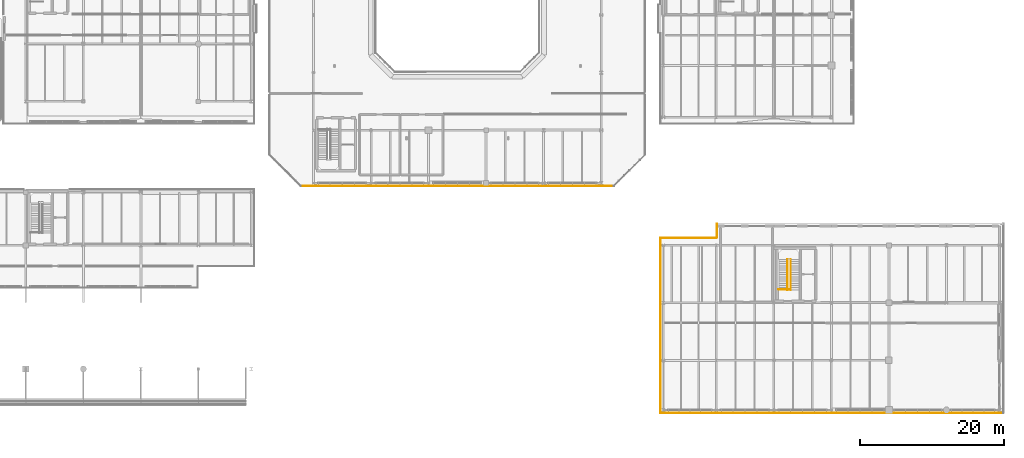
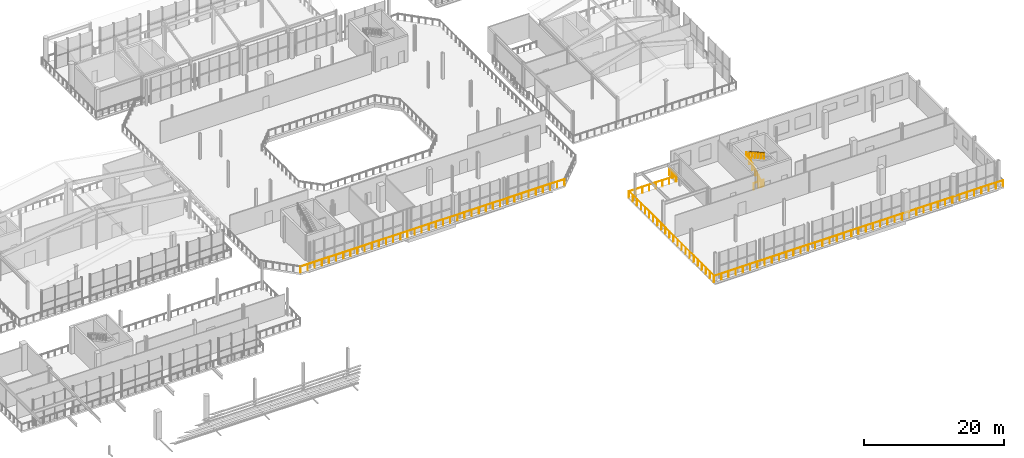
# One storey, part 62 of 70: 11 railings.
"""IFC4 building model written with IfcOpenShell, lengths in metres."""

import ifcopenshell
import ifcopenshell.guid

model = None  # the IFC model being written
_history = None  # IfcOwnerHistory: only IFC2X3 demands one
_inside = {}  # id of a spatial element -> (the spatial element, [elements in it])
_under = {}  # id of a project, library or spatial element -> (it, [spatial elements below it])
_declared = {}  # id of a project -> (the project, [libraries it declares])
_typed = {}  # id of a type object -> (the type object, [elements of that type])
_made_of = {}  # id of a material, layer set ... -> (it, [elements and type objects made of it])


def new_model(schema):
    """Start an empty IFC model of exactly this schema.

    Asked for "IFC4X3", IfcOpenShell would pick the latest addendum, in which some entities
    have other attributes; the version numbers below select the first issue.
    IFC2X3 requires an IfcOwnerHistory on every rooted entity: one is made here for all.
    """
    global model, _history
    if schema == "IFC4X3":
        model = ifcopenshell.file(schema_version=(4, 3, 0, 0))
    else:
        model = ifcopenshell.file(schema=schema)
    _inside.clear()
    _under.clear()
    _declared.clear()
    _typed.clear()
    _made_of.clear()
    _history = None
    if model.schema == "IFC2X3":
        org = make("IfcOrganization", Name="unknown")
        user = make(
            "IfcPersonAndOrganization",
            ThePerson=make("IfcPerson", FamilyName="unknown"),
            TheOrganization=org,
        )
        app = make(
            "IfcApplication",
            ApplicationDeveloper=org,
            Version="unknown",
            ApplicationFullName="unknown",
            ApplicationIdentifier="unknown",
        )
        _history = make(
            "IfcOwnerHistory",
            OwningUser=user,
            OwningApplication=app,
            ChangeAction="ADDED",
            CreationDate=0,
        )
    return model


def make(cls, **values):
    """One entity of the class cls with the attributes given. An attribute that is None is left unset."""
    return model.create_entity(
        cls, **{name: value for name, value in values.items() if value is not None}
    )


def rooted(cls, **values):
    """An entity with a GlobalId (a new one), such as an element, a storey or a relation."""
    return make(cls, GlobalId=ifcopenshell.guid.new(), OwnerHistory=_history, **values)


def si_unit(unit_type, name, prefix=None):
    """IfcSIUnit, for example si_unit("LENGTHUNIT", "METRE", prefix="MILLI")."""
    return make("IfcSIUnit", UnitType=unit_type, Prefix=prefix, Name=name)


def assignment(units):
    """IfcUnitAssignment: the units of a project."""
    return None if units is None else make("IfcUnitAssignment", Units=units)


def point(xyz):
    """IfcCartesianPoint."""
    return None if xyz is None else make("IfcCartesianPoint", Coordinates=xyz)


def direction(xyz):
    """IfcDirection."""
    return None if xyz is None else make("IfcDirection", DirectionRatios=xyz)


def frame(location, z_axis=None, x_axis=None):
    """IfcAxis2Placement3D, a coordinate frame: its origin and axes. An axis left out is left unset."""
    return make(
        "IfcAxis2Placement3D",
        Location=point(location),
        Axis=direction(z_axis),
        RefDirection=direction(x_axis),
    )


def frame_2d(location, x_axis=None):
    """IfcAxis2Placement2D, a coordinate frame in the plane: its origin and x axis."""
    return make(
        "IfcAxis2Placement2D", Location=point(location), RefDirection=direction(x_axis)
    )


def origin():
    """The frame at (0, 0, 0) with its axes left unset."""
    return frame((0.0, 0.0, 0.0))


def origin_2d():
    """The frame at (0, 0) in the plane with its x axis left unset."""
    return frame_2d((0.0, 0.0))


def place(relative_to, where):
    """IfcLocalPlacement: puts the frame where relative to a parent placement (None: the world)."""
    return make(
        "IfcLocalPlacement", PlacementRelTo=relative_to, RelativePlacement=where
    )


def context(
    kind, dimensions, precision=None, world=None, true_north=None, identifier=None
):
    """IfcGeometricRepresentationContext, for example the 3D "Model" context."""
    return make(
        "IfcGeometricRepresentationContext",
        ContextIdentifier=identifier,
        ContextType=kind,
        CoordinateSpaceDimension=dimensions,
        Precision=precision,
        WorldCoordinateSystem=world,
        TrueNorth=true_north,
    )


def subcontext(parent, identifier, kind, view, scale=None):
    """IfcGeometricRepresentationSubContext, for example "Body" below "Model"."""
    return make(
        "IfcGeometricRepresentationSubContext",
        ContextIdentifier=identifier,
        ContextType=kind,
        ParentContext=parent,
        TargetScale=scale,
        TargetView=view,
    )


def project(units=None, contexts=None):
    """IfcProject with its units and contexts."""
    return rooted(
        "IfcProject",
        Name="project",
        RepresentationContexts=contexts,
        UnitsInContext=assignment(units),
    )


def spatial(cls, under=None, at=None, **own):
    """A site, building, storey or space (cls), placed at a placement, below another one or the project."""
    s = rooted(cls, ObjectPlacement=at, **own)
    if under is not None:
        _under.setdefault(under.id(), (under, []))[1].append(s)
    return s


def profile(cls, at=None, kind="AREA", **sizes):
    """A parametric profile (cls). Its sizes go by their IFC names, for example OverallWidth=200.0."""
    return make(cls, ProfileType=kind, Position=at, **sizes)


def circle(**sizes):
    """IfcCircleProfileDef."""
    return profile("IfcCircleProfileDef", **sizes)


def extrude(swept, where, along, depth):
    """IfcExtrudedAreaSolid: the profile swept, set in the frame where, extruded along a direction by depth."""
    return make(
        "IfcExtrudedAreaSolid",
        SweptArea=swept,
        Position=where,
        ExtrudedDirection=direction(along),
        Depth=depth,
    )


def shape(context_of_items, identifier, shape_type, items):
    """IfcShapeRepresentation: the items that make up one representation, for example the "Body"."""
    return make(
        "IfcShapeRepresentation",
        ContextOfItems=context_of_items,
        RepresentationIdentifier=identifier,
        RepresentationType=shape_type,
        Items=items,
    )


def material(Name=None, Category=None):
    """IfcMaterial."""
    return make("IfcMaterial", Name=Name, Category=Category)


def made_of(thing, what):
    """Note that an element or type object is made of a material, layer set ...; save() writes the relation."""
    if what is not None:
        _made_of.setdefault(what.id(), (what, []))[1].append(thing)
    return thing


def type_object(cls, material=None, **own):
    """A type object (cls), such as IfcWallType, which elements share."""
    return made_of(rooted(cls, **own), material)


def element(
    cls,
    number,
    at=None,
    inside=None,
    cuts=None,
    type_object=None,
    material=None,
    context=None,
    identifier="Body",
    shape_type=None,
    held_by="IfcProductDefinitionShape",
    body=None,
    shapes=None,
    **own,
):
    """One element of the class cls, such as IfcWall. Its Tag is "e" and its number.

    at: its placement. inside: the storey or other place that contains it. cuts: it is an
    opening in that element (IfcRelVoidsElement). A single representation is given by context,
    identifier, shape_type and body (its items); several are given by shapes. held_by: the class
    of the entity that holds the representations. save() writes the other relations.
    """
    e = rooted(cls, Tag="e%d" % number, ObjectPlacement=at, **own)
    if body is not None:
        shapes = [shape(context, identifier, shape_type, body)]
    if shapes is not None:
        e.Representation = make(held_by, Representations=shapes)
    if inside is not None:
        _inside.setdefault(inside.id(), (inside, []))[1].append(e)
    if cuts is not None:
        rooted(
            "IfcRelVoidsElement", RelatingBuildingElement=cuts, RelatedOpeningElement=e
        )
    if type_object is not None:
        _typed.setdefault(type_object.id(), (type_object, []))[1].append(e)
    return made_of(e, material)


def aggregate(whole, parts):
    """IfcRelAggregates: a whole, such as a stair, and the parts it consists of."""
    return rooted("IfcRelAggregates", RelatingObject=whole, RelatedObjects=parts)


def save(model, path):
    """Write the relations noted so far, then the file.

    IfcRelAggregates (storeys below a building ...), IfcRelContainedInSpatialStructure (elements
    in a storey), IfcRelDefinesByType, IfcRelAssociatesMaterial and IfcRelDeclares: one each for
    every whole, place, type object, material and project.
    """
    for whole, parts in _under.values():
        aggregate(whole, parts)
    for where, things in _inside.values():
        rooted(
            "IfcRelContainedInSpatialStructure",
            RelatedElements=things,
            RelatingStructure=where,
        )
    for kind, things in _typed.values():
        rooted("IfcRelDefinesByType", RelatedObjects=things, RelatingType=kind)
    for what, things in _made_of.values():
        rooted("IfcRelAssociatesMaterial", RelatedObjects=things, RelatingMaterial=what)
    for by, libraries in _declared.values():
        rooted("IfcRelDeclares", RelatingContext=by, RelatedDefinitions=libraries)
    model.write(path)


model = new_model("IFC4")

# Units and contexts
model_context = context("Model", 3, precision=1e-05, world=origin(), true_north=direction((0.0, 1.0)))
body_context = subcontext(model_context, "Body", "Model", "MODEL_VIEW")
ifc_project = project(units=[si_unit("LENGTHUNIT", "METRE"), si_unit("AREAUNIT", "SQUARE_METRE"), si_unit("VOLUMEUNIT", "CUBIC_METRE"), si_unit("PLANEANGLEUNIT", "RADIAN"), si_unit("MASSUNIT", "GRAM", prefix="KILO")], contexts=[model_context])

# Site, building, storey
site_placement = place(None, origin())
site = spatial("IfcSite", under=ifc_project, at=site_placement, CompositionType="ELEMENT")
building_placement = place(site_placement, origin())
building = spatial("IfcBuilding", under=site, at=building_placement, Name="Brisemont Oceanarium", CompositionType="ELEMENT")
storey_placement = place(building_placement, frame((0.0, 0.0, 10.199951171875)))
storey = spatial("IfcBuildingStorey", under=building, at=storey_placement, Name="L02", CompositionType="ELEMENT", Elevation=10.199951171875)

# Railings
ifc_material_1 = material(Name="Duplex Stainless Steel EN 1.4462", Category="steel")
railing_type_1 = type_object("IfcRailingType", Name="RLG-GUARD-1120", PredefinedType="GUARDRAIL", material=ifc_material_1)
railing_1_placement = place(storey_placement, frame((128.669921875, 17.860107421875, 0.0)))
element("IfcRailing", 1, at=railing_1_placement, inside=storey, type_object=railing_type_1, Name="ST-04 L02 landing edge guard", PredefinedType="GUARDRAIL", context=body_context, shape_type="SweptSolid", body=[
    extrude(circle(Radius=0.02392578125, at=origin_2d()), frame((0.0, 0.0, 1.09619140625), z_axis=(1.0, 0.0, 0.0), x_axis=(0.0, 1.0, 0.0)), (0.0, 0.0, 1.0), 1.68017578125),
    extrude(circle(Radius=0.02099609375, at=origin_2d()), origin(), (0.0, 0.0, 1.0), 1.072021484375),
    extrude(circle(Radius=0.02099609375, at=origin_2d()), frame((0.840087890625, 0.0, 0.0)), (0.0, 0.0, 1.0), 1.072021484375),
    extrude(circle(Radius=0.02099609375, at=origin_2d()), frame((1.68017578125, 0.0, 0.0)), (0.0, 0.0, 1.0), 1.072021484375),
])
railing_2_placement = place(storey_placement, frame((129.909912109375, 17.800048828125, 0.0)))
element("IfcRailing", 2, at=railing_2_placement, inside=storey, type_object=railing_type_1, Name="ST-04 L02 F1 well guard", PredefinedType="GUARDRAIL", context=body_context, shape_type="SweptSolid", body=[
    extrude(circle(Radius=0.02392578125, at=origin_2d()), frame((0.0, 0.0, 1.09619140625), z_axis=(0.0, 0.870740716755, 0.491742416499), x_axis=(-1.0, 0.0, 0.0)), (0.0, 0.0, 1.0), 4.880859375),
    extrude(circle(Radius=0.02099609375, at=origin_2d()), origin(), (0.0, 0.0, 1.0), 1.072021484375),
    extrude(circle(Radius=0.02099609375, at=origin_2d()), frame((0.0, 0.85009765625, 0.47998046875)), (0.0, 0.0, 1.0), 1.072021484375),
    extrude(circle(Radius=0.02099609375, at=origin_2d()), frame((0.0, 1.699951171875, 0.9599609375)), (0.0, 0.0, 1.0), 1.072021484375),
    extrude(circle(Radius=0.02099609375, at=origin_2d()), frame((0.0, 2.550048828125, 1.440185546875)), (0.0, 0.0, 1.0), 1.072021484375),
    extrude(circle(Radius=0.02099609375, at=origin_2d()), frame((0.0, 3.39990234375, 1.920166015625)), (0.0, 0.0, 1.0), 1.072021484375),
    extrude(circle(Radius=0.02099609375, at=origin_2d()), frame((0.0, 4.25, 2.400146484375)), (0.0, 0.0, 1.0), 1.072021484375),
])
railing_3_placement = place(storey_placement, frame((130.35009765625, 22.050048828125, 2.400146484375)))
element("IfcRailing", 3, at=railing_3_placement, inside=storey, type_object=railing_type_1, Name="ST-04 L02 F2 well guard", PredefinedType="GUARDRAIL", context=body_context, shape_type="SweptSolid", body=[
    extrude(circle(Radius=0.02392578125, at=origin_2d()), frame((0.0, 0.0, 1.09619140625), z_axis=(0.0, -0.870762133844, 0.491704490791), x_axis=(1.0, 0.0, 0.0)), (0.0, 0.0, 1.0), 4.880859375),
    extrude(circle(Radius=0.02099609375, at=origin_2d()), origin(), (0.0, 0.0, 1.0), 1.072021484375),
    extrude(circle(Radius=0.02099609375, at=origin_2d()), frame((0.0, -0.85009765625, 0.47998046875)), (0.0, 0.0, 1.0), 1.072021484375),
    extrude(circle(Radius=0.02099609375, at=origin_2d()), frame((0.0, -1.699951171875, 0.9599609375)), (0.0, 0.0, 1.0), 1.072021484375),
    extrude(circle(Radius=0.02099609375, at=origin_2d()), frame((0.0, -2.550048828125, 1.43994140625)), (0.0, 0.0, 1.0), 1.072021484375),
    extrude(circle(Radius=0.02099609375, at=origin_2d()), frame((0.0, -3.39990234375, 1.919921875)), (0.0, 0.0, 1.0), 1.072021484375),
    extrude(circle(Radius=0.02099609375, at=origin_2d()), frame((0.0, -4.25, 2.39990234375)), (0.0, 0.0, 1.0), 1.072021484375),
])
railing_4_placement = place(storey_placement, frame((112.239990234375, 0.68994140625, 0.0)))
element("IfcRailing", 4, at=railing_4_placement, inside=storey, type_object=railing_type_1, Name="L02 slab perimeter safety guard 121", PredefinedType="GUARDRAIL", context=body_context, shape_type="SweptSolid", body=[
    extrude(circle(Radius=0.02392578125, at=origin_2d()), frame((0.0, 0.0, 1.09619140625), z_axis=(0.0, 1.0, 0.0), x_axis=(-1.0, 0.0, 0.0)), (0.0, 0.0, 1.0), 24.319580078125),
    extrude(circle(Radius=0.02099609375, at=origin_2d()), origin(), (0.0, 0.0, 1.0), 1.072021484375),
    extrude(circle(Radius=0.02099609375, at=origin_2d()), frame((0.0, 1.157958984375, 0.0)), (0.0, 0.0, 1.0), 1.072021484375),
    extrude(circle(Radius=0.02099609375, at=origin_2d()), frame((0.0, 2.316162109375, 0.0)), (0.0, 0.0, 1.0), 1.072021484375),
    extrude(circle(Radius=0.02099609375, at=origin_2d()), frame((0.0, 3.47412109375, 0.0)), (0.0, 0.0, 1.0), 1.072021484375),
    extrude(circle(Radius=0.02099609375, at=origin_2d()), frame((0.0, 4.63232421875, 0.0)), (0.0, 0.0, 1.0), 1.072021484375),
    extrude(circle(Radius=0.02099609375, at=origin_2d()), frame((0.0, 5.790283203125, 0.0)), (0.0, 0.0, 1.0), 1.072021484375),
    extrude(circle(Radius=0.02099609375, at=origin_2d()), frame((0.0, 6.948486328125, 0.0)), (0.0, 0.0, 1.0), 1.072021484375),
    extrude(circle(Radius=0.02099609375, at=origin_2d()), frame((0.0, 8.1064453125, 0.0)), (0.0, 0.0, 1.0), 1.072021484375),
    extrude(circle(Radius=0.02099609375, at=origin_2d()), frame((0.0, 9.2646484375, 0.0)), (0.0, 0.0, 1.0), 1.072021484375),
    extrude(circle(Radius=0.02099609375, at=origin_2d()), frame((0.0, 10.422607421875, 0.0)), (0.0, 0.0, 1.0), 1.072021484375),
    extrude(circle(Radius=0.02099609375, at=origin_2d()), frame((0.0, 11.580810546875, 0.0)), (0.0, 0.0, 1.0), 1.072021484375),
    extrude(circle(Radius=0.02099609375, at=origin_2d()), frame((0.0, 12.73876953125, 0.0)), (0.0, 0.0, 1.0), 1.072021484375),
    extrude(circle(Radius=0.02099609375, at=origin_2d()), frame((0.0, 13.89697265625, 0.0)), (0.0, 0.0, 1.0), 1.072021484375),
    extrude(circle(Radius=0.02099609375, at=origin_2d()), frame((0.0, 15.054931640625, 0.0)), (0.0, 0.0, 1.0), 1.072021484375),
    extrude(circle(Radius=0.02099609375, at=origin_2d()), frame((0.0, 16.213134765625, 0.0)), (0.0, 0.0, 1.0), 1.072021484375),
    extrude(circle(Radius=0.02099609375, at=origin_2d()), frame((0.0, 17.37109375, 0.0)), (0.0, 0.0, 1.0), 1.072021484375),
    extrude(circle(Radius=0.02099609375, at=origin_2d()), frame((0.0, 18.529296875, 0.0)), (0.0, 0.0, 1.0), 1.072021484375),
    extrude(circle(Radius=0.02099609375, at=origin_2d()), frame((0.0, 19.687255859375, 0.0)), (0.0, 0.0, 1.0), 1.072021484375),
    extrude(circle(Radius=0.02099609375, at=origin_2d()), frame((0.0, 20.845458984375, 0.0)), (0.0, 0.0, 1.0), 1.072021484375),
    extrude(circle(Radius=0.02099609375, at=origin_2d()), frame((0.0, 22.00341796875, 0.0)), (0.0, 0.0, 1.0), 1.072021484375),
    extrude(circle(Radius=0.02099609375, at=origin_2d()), frame((0.0, 23.16162109375, 0.0)), (0.0, 0.0, 1.0), 1.072021484375),
    extrude(circle(Radius=0.02099609375, at=origin_2d()), frame((0.0, 24.319580078125, 0.0)), (0.0, 0.0, 1.0), 1.072021484375),
])
railing_5_placement = place(storey_placement, frame((112.239990234375, 25.009521484375, 0.0)))
element("IfcRailing", 5, at=railing_5_placement, inside=storey, type_object=railing_type_1, Name="L02 slab perimeter safety guard 122", PredefinedType="GUARDRAIL", context=body_context, shape_type="SweptSolid", body=[
    extrude(circle(Radius=0.02392578125, at=origin_2d()), frame((0.0, 0.0, 1.09619140625), z_axis=(0.999999968302, 0.0002517861, 0.0), x_axis=(-0.0002517861, 0.999999968302, 0.0)), (0.0, 0.0, 1.0), 7.757080078125),
    extrude(circle(Radius=0.02099609375, at=origin_2d()), origin(), (0.0, 0.0, 1.0), 1.072021484375),
    extrude(circle(Radius=0.02099609375, at=origin_2d()), frame((1.108154296875, 0.000244140625, 0.0)), (0.0, 0.0, 1.0), 1.072021484375),
    extrude(circle(Radius=0.02099609375, at=origin_2d()), frame((2.21630859375, 0.00048828125, 0.0)), (0.0, 0.0, 1.0), 1.072021484375),
    extrude(circle(Radius=0.02099609375, at=origin_2d()), frame((3.324462890625, 0.000732421875, 0.0)), (0.0, 0.0, 1.0), 1.072021484375),
    extrude(circle(Radius=0.02099609375, at=origin_2d()), frame((4.4326171875, 0.001220703125, 0.0)), (0.0, 0.0, 1.0), 1.072021484375),
    extrude(circle(Radius=0.02099609375, at=origin_2d()), frame((5.540771484375, 0.00146484375, 0.0)), (0.0, 0.0, 1.0), 1.072021484375),
    extrude(circle(Radius=0.02099609375, at=origin_2d()), frame((6.64892578125, 0.001708984375, 0.0)), (0.0, 0.0, 1.0), 1.072021484375),
    extrude(circle(Radius=0.02099609375, at=origin_2d()), frame((7.757080078125, 0.001953125, 0.0)), (0.0, 0.0, 1.0), 1.072021484375),
])
railing_6_placement = place(storey_placement, frame((120.08984375, 25.113525390625, 0.0)))
element("IfcRailing", 6, at=railing_6_placement, inside=storey, type_object=railing_type_1, Name="L02 slab perimeter safety guard 123", PredefinedType="GUARDRAIL", context=body_context, shape_type="SweptSolid", body=[
    extrude(circle(Radius=0.02392578125, at=origin_2d()), frame((0.0, 0.0, 1.09619140625), z_axis=(0.000207511927, 0.999999978469, 0.0), x_axis=(-0.999999978469, 0.000207511927, 0.0)), (0.0, 0.0, 1.0), 1.176513671875),
    extrude(circle(Radius=0.02099609375, at=origin_2d()), origin(), (0.0, 0.0, 1.0), 1.072021484375),
    extrude(circle(Radius=0.02099609375, at=origin_2d()), frame((0.000244140625, 1.176513671875, 0.0)), (0.0, 0.0, 1.0), 1.072021484375),
])
railing_7_placement = place(storey_placement, frame((159.909912109375, 0.6904296875, 0.0)))
element("IfcRailing", 7, at=railing_7_placement, inside=storey, type_object=railing_type_1, Name="L02 slab perimeter safety guard 126", PredefinedType="GUARDRAIL", context=body_context, shape_type="SweptSolid", body=[
    extrude(circle(Radius=0.02392578125, at=origin_2d()), frame((0.0, 0.0, 1.09619140625), z_axis=(-0.999999999948, -1.0242963e-05, 0.0), x_axis=(1.0242963e-05, -0.999999999948, 0.0)), (0.0, 0.0, 1.0), 47.669921875),
    extrude(circle(Radius=0.02099609375, at=origin_2d()), origin(), (0.0, 0.0, 1.0), 1.072021484375),
    extrude(circle(Radius=0.02099609375, at=origin_2d()), frame((-1.191650390625, 0.0, 0.0)), (0.0, 0.0, 1.0), 1.072021484375),
    extrude(circle(Radius=0.02099609375, at=origin_2d()), frame((-2.383544921875, 0.0, 0.0)), (0.0, 0.0, 1.0), 1.072021484375),
    extrude(circle(Radius=0.02099609375, at=origin_2d()), frame((-3.5751953125, 0.0, 0.0)), (0.0, 0.0, 1.0), 1.072021484375),
    extrude(circle(Radius=0.02099609375, at=origin_2d()), frame((-4.76708984375, 0.0, 0.0)), (0.0, 0.0, 1.0), 1.072021484375),
    extrude(circle(Radius=0.02099609375, at=origin_2d()), frame((-5.958740234375, 0.0, 0.0)), (0.0, 0.0, 1.0), 1.072021484375),
    extrude(circle(Radius=0.02099609375, at=origin_2d()), frame((-7.150390625, 0.0, 0.0)), (0.0, 0.0, 1.0), 1.072021484375),
    extrude(circle(Radius=0.02099609375, at=origin_2d()), frame((-8.34228515625, 0.0, 0.0)), (0.0, 0.0, 1.0), 1.072021484375),
    extrude(circle(Radius=0.02099609375, at=origin_2d()), frame((-9.533935546875, 0.0, 0.0)), (0.0, 0.0, 1.0), 1.072021484375),
    extrude(circle(Radius=0.02099609375, at=origin_2d()), frame((-10.725830078125, 0.0, 0.0)), (0.0, 0.0, 1.0), 1.072021484375),
    extrude(circle(Radius=0.02099609375, at=origin_2d()), frame((-11.91748046875, 0.0, 0.0)), (0.0, 0.0, 1.0), 1.072021484375),
    extrude(circle(Radius=0.02099609375, at=origin_2d()), frame((-13.109130859375, -0.000244140625, 0.0)), (0.0, 0.0, 1.0), 1.072021484375),
    extrude(circle(Radius=0.02099609375, at=origin_2d()), frame((-14.301025390625, -0.000244140625, 0.0)), (0.0, 0.0, 1.0), 1.072021484375),
    extrude(circle(Radius=0.02099609375, at=origin_2d()), frame((-15.49267578125, -0.000244140625, 0.0)), (0.0, 0.0, 1.0), 1.072021484375),
    extrude(circle(Radius=0.02099609375, at=origin_2d()), frame((-16.6845703125, -0.000244140625, 0.0)), (0.0, 0.0, 1.0), 1.072021484375),
    extrude(circle(Radius=0.02099609375, at=origin_2d()), frame((-17.876220703125, -0.000244140625, 0.0)), (0.0, 0.0, 1.0), 1.072021484375),
    extrude(circle(Radius=0.02099609375, at=origin_2d()), frame((-19.06787109375, -0.000244140625, 0.0)), (0.0, 0.0, 1.0), 1.072021484375),
    extrude(circle(Radius=0.02099609375, at=origin_2d()), frame((-20.259765625, -0.000244140625, 0.0)), (0.0, 0.0, 1.0), 1.072021484375),
    extrude(circle(Radius=0.02099609375, at=origin_2d()), frame((-21.451416015625, -0.000244140625, 0.0)), (0.0, 0.0, 1.0), 1.072021484375),
    extrude(circle(Radius=0.02099609375, at=origin_2d()), frame((-22.643310546875, -0.000244140625, 0.0)), (0.0, 0.0, 1.0), 1.072021484375),
    extrude(circle(Radius=0.02099609375, at=origin_2d()), frame((-23.8349609375, -0.000244140625, 0.0)), (0.0, 0.0, 1.0), 1.072021484375),
    extrude(circle(Radius=0.02099609375, at=origin_2d()), frame((-25.026611328125, -0.000244140625, 0.0)), (0.0, 0.0, 1.0), 1.072021484375),
    extrude(circle(Radius=0.02099609375, at=origin_2d()), frame((-26.218505859375, -0.000244140625, 0.0)), (0.0, 0.0, 1.0), 1.072021484375),
    extrude(circle(Radius=0.02099609375, at=origin_2d()), frame((-27.41015625, -0.000244140625, 0.0)), (0.0, 0.0, 1.0), 1.072021484375),
    extrude(circle(Radius=0.02099609375, at=origin_2d()), frame((-28.60205078125, -0.000244140625, 0.0)), (0.0, 0.0, 1.0), 1.072021484375),
    extrude(circle(Radius=0.02099609375, at=origin_2d()), frame((-29.793701171875, -0.000244140625, 0.0)), (0.0, 0.0, 1.0), 1.072021484375),
    extrude(circle(Radius=0.02099609375, at=origin_2d()), frame((-30.9853515625, -0.000244140625, 0.0)), (0.0, 0.0, 1.0), 1.072021484375),
    extrude(circle(Radius=0.02099609375, at=origin_2d()), frame((-32.17724609375, -0.000244140625, 0.0)), (0.0, 0.0, 1.0), 1.072021484375),
    extrude(circle(Radius=0.02099609375, at=origin_2d()), frame((-33.368896484375, -0.000244140625, 0.0)), (0.0, 0.0, 1.0), 1.072021484375),
    extrude(circle(Radius=0.02099609375, at=origin_2d()), frame((-34.560791015625, -0.000244140625, 0.0)), (0.0, 0.0, 1.0), 1.072021484375),
    extrude(circle(Radius=0.02099609375, at=origin_2d()), frame((-35.75244140625, -0.00048828125, 0.0)), (0.0, 0.0, 1.0), 1.072021484375),
    extrude(circle(Radius=0.02099609375, at=origin_2d()), frame((-36.944091796875, -0.00048828125, 0.0)), (0.0, 0.0, 1.0), 1.072021484375),
    extrude(circle(Radius=0.02099609375, at=origin_2d()), frame((-38.135986328125, -0.00048828125, 0.0)), (0.0, 0.0, 1.0), 1.072021484375),
    extrude(circle(Radius=0.02099609375, at=origin_2d()), frame((-39.32763671875, -0.00048828125, 0.0)), (0.0, 0.0, 1.0), 1.072021484375),
    extrude(circle(Radius=0.02099609375, at=origin_2d()), frame((-40.51953125, -0.00048828125, 0.0)), (0.0, 0.0, 1.0), 1.072021484375),
    extrude(circle(Radius=0.02099609375, at=origin_2d()), frame((-41.711181640625, -0.00048828125, 0.0)), (0.0, 0.0, 1.0), 1.072021484375),
    extrude(circle(Radius=0.02099609375, at=origin_2d()), frame((-42.90283203125, -0.00048828125, 0.0)), (0.0, 0.0, 1.0), 1.072021484375),
    extrude(circle(Radius=0.02099609375, at=origin_2d()), frame((-44.0947265625, -0.00048828125, 0.0)), (0.0, 0.0, 1.0), 1.072021484375),
    extrude(circle(Radius=0.02099609375, at=origin_2d()), frame((-45.286376953125, -0.00048828125, 0.0)), (0.0, 0.0, 1.0), 1.072021484375),
    extrude(circle(Radius=0.02099609375, at=origin_2d()), frame((-46.478271484375, -0.00048828125, 0.0)), (0.0, 0.0, 1.0), 1.072021484375),
    extrude(circle(Radius=0.02099609375, at=origin_2d()), frame((-47.669921875, -0.00048828125, 0.0)), (0.0, 0.0, 1.0), 1.072021484375),
])
railing_8_placement = place(storey_placement, frame((105.7626953125, 32.239990234375, 0.0)))
element("IfcRailing", 8, at=railing_8_placement, inside=storey, type_object=railing_type_1, Name="L02 slab perimeter safety guard 143", PredefinedType="GUARDRAIL", context=body_context, shape_type="SweptSolid", body=[
    extrude(circle(Radius=0.02392578125, at=origin_2d()), frame((0.0, 0.0, 1.09619140625), z_axis=(-1.0, 0.0, 0.0), x_axis=(0.0, -1.0, 0.0)), (0.0, 0.0, 1.0), 43.525390625),
    extrude(circle(Radius=0.02099609375, at=origin_2d()), origin(), (0.0, 0.0, 1.0), 1.072021484375),
    extrude(circle(Radius=0.02099609375, at=origin_2d()), frame((-1.17626953125, 0.0, 0.0)), (0.0, 0.0, 1.0), 1.072021484375),
    extrude(circle(Radius=0.02099609375, at=origin_2d()), frame((-2.352783203125, 0.0, 0.0)), (0.0, 0.0, 1.0), 1.072021484375),
    extrude(circle(Radius=0.02099609375, at=origin_2d()), frame((-3.529052734375, 0.0, 0.0)), (0.0, 0.0, 1.0), 1.072021484375),
    extrude(circle(Radius=0.02099609375, at=origin_2d()), frame((-4.70556640625, 0.0, 0.0)), (0.0, 0.0, 1.0), 1.072021484375),
    extrude(circle(Radius=0.02099609375, at=origin_2d()), frame((-5.8818359375, 0.0, 0.0)), (0.0, 0.0, 1.0), 1.072021484375),
    extrude(circle(Radius=0.02099609375, at=origin_2d()), frame((-7.05810546875, 0.0, 0.0)), (0.0, 0.0, 1.0), 1.072021484375),
    extrude(circle(Radius=0.02099609375, at=origin_2d()), frame((-8.234619140625, 0.0, 0.0)), (0.0, 0.0, 1.0), 1.072021484375),
    extrude(circle(Radius=0.02099609375, at=origin_2d()), frame((-9.410888671875, 0.0, 0.0)), (0.0, 0.0, 1.0), 1.072021484375),
    extrude(circle(Radius=0.02099609375, at=origin_2d()), frame((-10.587158203125, 0.0, 0.0)), (0.0, 0.0, 1.0), 1.072021484375),
    extrude(circle(Radius=0.02099609375, at=origin_2d()), frame((-11.763671875, 0.0, 0.0)), (0.0, 0.0, 1.0), 1.072021484375),
    extrude(circle(Radius=0.02099609375, at=origin_2d()), frame((-12.93994140625, 0.0, 0.0)), (0.0, 0.0, 1.0), 1.072021484375),
    extrude(circle(Radius=0.02099609375, at=origin_2d()), frame((-14.116455078125, 0.0, 0.0)), (0.0, 0.0, 1.0), 1.072021484375),
    extrude(circle(Radius=0.02099609375, at=origin_2d()), frame((-15.292724609375, 0.0, 0.0)), (0.0, 0.0, 1.0), 1.072021484375),
    extrude(circle(Radius=0.02099609375, at=origin_2d()), frame((-16.468994140625, 0.0, 0.0)), (0.0, 0.0, 1.0), 1.072021484375),
    extrude(circle(Radius=0.02099609375, at=origin_2d()), frame((-17.6455078125, 0.0, 0.0)), (0.0, 0.0, 1.0), 1.072021484375),
    extrude(circle(Radius=0.02099609375, at=origin_2d()), frame((-18.82177734375, 0.0, 0.0)), (0.0, 0.0, 1.0), 1.072021484375),
    extrude(circle(Radius=0.02099609375, at=origin_2d()), frame((-19.998046875, 0.0, 0.0)), (0.0, 0.0, 1.0), 1.072021484375),
    extrude(circle(Radius=0.02099609375, at=origin_2d()), frame((-21.174560546875, 0.0, 0.0)), (0.0, 0.0, 1.0), 1.072021484375),
    extrude(circle(Radius=0.02099609375, at=origin_2d()), frame((-22.350830078125, 0.0, 0.0)), (0.0, 0.0, 1.0), 1.072021484375),
    extrude(circle(Radius=0.02099609375, at=origin_2d()), frame((-23.52734375, 0.0, 0.0)), (0.0, 0.0, 1.0), 1.072021484375),
    extrude(circle(Radius=0.02099609375, at=origin_2d()), frame((-24.70361328125, 0.0, 0.0)), (0.0, 0.0, 1.0), 1.072021484375),
    extrude(circle(Radius=0.02099609375, at=origin_2d()), frame((-25.8798828125, 0.0, 0.0)), (0.0, 0.0, 1.0), 1.072021484375),
    extrude(circle(Radius=0.02099609375, at=origin_2d()), frame((-27.056396484375, 0.0, 0.0)), (0.0, 0.0, 1.0), 1.072021484375),
    extrude(circle(Radius=0.02099609375, at=origin_2d()), frame((-28.232666015625, 0.0, 0.0)), (0.0, 0.0, 1.0), 1.072021484375),
    extrude(circle(Radius=0.02099609375, at=origin_2d()), frame((-29.408935546875, 0.0, 0.0)), (0.0, 0.0, 1.0), 1.072021484375),
    extrude(circle(Radius=0.02099609375, at=origin_2d()), frame((-30.58544921875, 0.0, 0.0)), (0.0, 0.0, 1.0), 1.072021484375),
    extrude(circle(Radius=0.02099609375, at=origin_2d()), frame((-31.76171875, 0.0, 0.0)), (0.0, 0.0, 1.0), 1.072021484375),
    extrude(circle(Radius=0.02099609375, at=origin_2d()), frame((-32.938232421875, 0.0, 0.0)), (0.0, 0.0, 1.0), 1.072021484375),
    extrude(circle(Radius=0.02099609375, at=origin_2d()), frame((-34.114501953125, 0.0, 0.0)), (0.0, 0.0, 1.0), 1.072021484375),
    extrude(circle(Radius=0.02099609375, at=origin_2d()), frame((-35.290771484375, 0.0, 0.0)), (0.0, 0.0, 1.0), 1.072021484375),
    extrude(circle(Radius=0.02099609375, at=origin_2d()), frame((-36.46728515625, 0.0, 0.0)), (0.0, 0.0, 1.0), 1.072021484375),
    extrude(circle(Radius=0.02099609375, at=origin_2d()), frame((-37.6435546875, 0.0, 0.0)), (0.0, 0.0, 1.0), 1.072021484375),
    extrude(circle(Radius=0.02099609375, at=origin_2d()), frame((-38.81982421875, 0.0, 0.0)), (0.0, 0.0, 1.0), 1.072021484375),
    extrude(circle(Radius=0.02099609375, at=origin_2d()), frame((-39.996337890625, 0.0, 0.0)), (0.0, 0.0, 1.0), 1.072021484375),
    extrude(circle(Radius=0.02099609375, at=origin_2d()), frame((-41.172607421875, 0.0, 0.0)), (0.0, 0.0, 1.0), 1.072021484375),
    extrude(circle(Radius=0.02099609375, at=origin_2d()), frame((-42.34912109375, 0.0, 0.0)), (0.0, 0.0, 1.0), 1.072021484375),
    extrude(circle(Radius=0.02099609375, at=origin_2d()), frame((-43.525390625, 0.0, 0.0)), (0.0, 0.0, 1.0), 1.072021484375),
])
railing_9_placement = place(storey_placement, frame((120.080078125, 25.050048828125, 0.0)))
element("IfcRailing", 9, at=railing_9_placement, inside=storey, type_object=railing_type_1, Name="V3 L02 step safety guard", PredefinedType="GUARDRAIL", context=body_context, shape_type="SweptSolid", body=[
    extrude(circle(Radius=0.02392578125, at=origin_2d()), frame((0.0, 0.0, 1.09619140625), z_axis=(0.0, 1.0, 0.0), x_axis=(-1.0, 0.0, 0.0)), (0.0, 0.0, 1.0), 1.949951171875),
    extrude(circle(Radius=0.02099609375, at=origin_2d()), origin(), (0.0, 0.0, 1.0), 1.072021484375),
    extrude(circle(Radius=0.02099609375, at=origin_2d()), frame((0.0, 0.97509765625, 0.0)), (0.0, 0.0, 1.0), 1.072021484375),
    extrude(circle(Radius=0.02099609375, at=origin_2d()), frame((0.0, 1.949951171875, 0.0)), (0.0, 0.0, 1.0), 1.072021484375),
])
ifc_material_2 = material(Name="Duplex Stainless Steel EN 1.4462", Category="steel")
railing_type_2 = type_object("IfcRailingType", Name="RLG-HAND-900", PredefinedType="HANDRAIL", material=ifc_material_2)
railing_10_placement = place(storey_placement, frame((129.909912109375, 17.800048828125, 0.0)))
element("IfcRailing", 10, at=railing_10_placement, inside=storey, type_object=railing_type_2, Name="ST-04 L02 F1 handrail", PredefinedType="HANDRAIL", context=body_context, shape_type="SweptSolid", body=[
    extrude(circle(Radius=0.02392578125, at=origin_2d()), frame((0.0, 0.0, 0.8759765625), z_axis=(0.0, 0.870740716755, 0.491742416499), x_axis=(-1.0, 0.0, 0.0)), (0.0, 0.0, 1.0), 4.880859375),
    extrude(circle(Radius=0.02099609375, at=origin_2d()), origin(), (0.0, 0.0, 1.0), 0.851806640625),
    extrude(circle(Radius=0.02099609375, at=origin_2d()), frame((0.0, 0.85009765625, 0.47998046875)), (0.0, 0.0, 1.0), 0.851806640625),
    extrude(circle(Radius=0.02099609375, at=origin_2d()), frame((0.0, 1.699951171875, 0.9599609375)), (0.0, 0.0, 1.0), 0.851806640625),
    extrude(circle(Radius=0.02099609375, at=origin_2d()), frame((0.0, 2.550048828125, 1.440185546875)), (0.0, 0.0, 1.0), 0.851806640625),
    extrude(circle(Radius=0.02099609375, at=origin_2d()), frame((0.0, 3.39990234375, 1.920166015625)), (0.0, 0.0, 1.0), 0.851806640625),
    extrude(circle(Radius=0.02099609375, at=origin_2d()), frame((0.0, 4.25, 2.400146484375)), (0.0, 0.0, 1.0), 0.851806640625),
])
railing_11_placement = place(storey_placement, frame((130.35009765625, 22.050048828125, 2.400146484375)))
element("IfcRailing", 11, at=railing_11_placement, inside=storey, type_object=railing_type_2, Name="ST-04 L02 F2 handrail", PredefinedType="HANDRAIL", context=body_context, shape_type="SweptSolid", body=[
    extrude(circle(Radius=0.02392578125, at=origin_2d()), frame((0.0, 0.0, 0.8759765625), z_axis=(0.0, -0.870762133844, 0.491704490791), x_axis=(1.0, 0.0, 0.0)), (0.0, 0.0, 1.0), 4.880859375),
    extrude(circle(Radius=0.02099609375, at=origin_2d()), origin(), (0.0, 0.0, 1.0), 0.851806640625),
    extrude(circle(Radius=0.02099609375, at=origin_2d()), frame((0.0, -0.85009765625, 0.47998046875)), (0.0, 0.0, 1.0), 0.851806640625),
    extrude(circle(Radius=0.02099609375, at=origin_2d()), frame((0.0, -1.699951171875, 0.9599609375)), (0.0, 0.0, 1.0), 0.851806640625),
    extrude(circle(Radius=0.02099609375, at=origin_2d()), frame((0.0, -2.550048828125, 1.43994140625)), (0.0, 0.0, 1.0), 0.851806640625),
    extrude(circle(Radius=0.02099609375, at=origin_2d()), frame((0.0, -3.39990234375, 1.919921875)), (0.0, 0.0, 1.0), 0.851806640625),
    extrude(circle(Radius=0.02099609375, at=origin_2d()), frame((0.0, -4.25, 2.39990234375)), (0.0, 0.0, 1.0), 0.851806640625),
])

save(model, "model.ifc")
